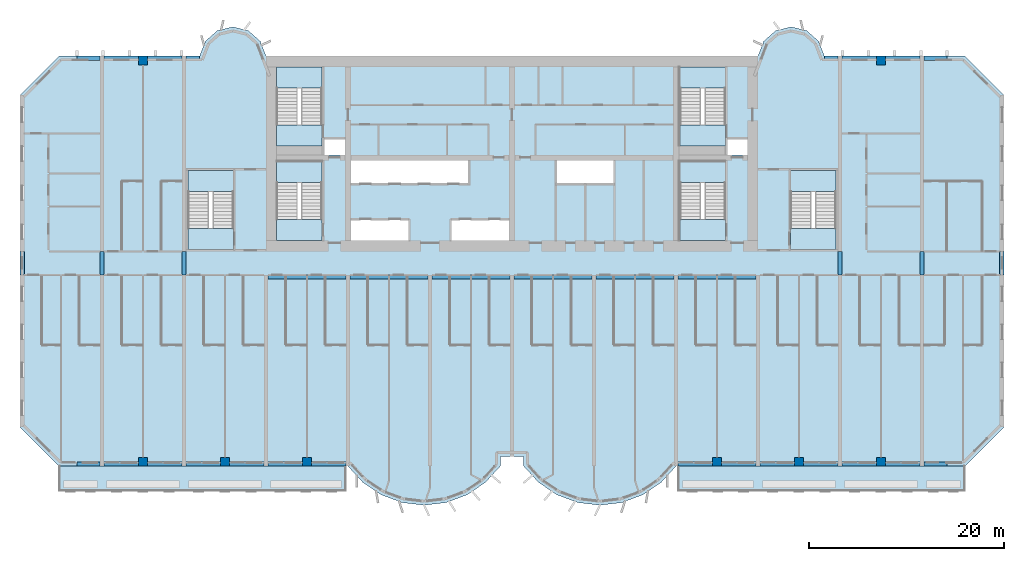
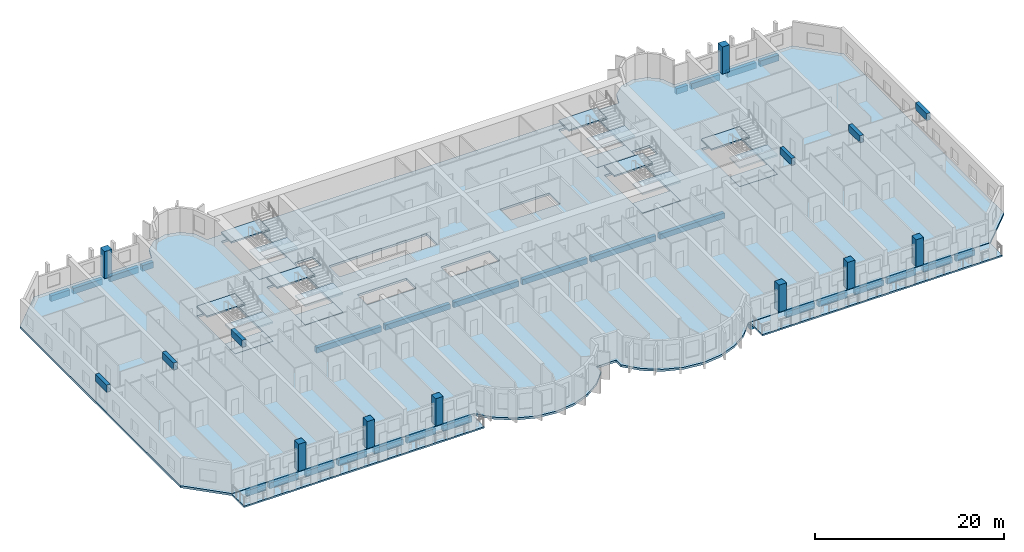
# One storey, part 1 of 15: 34 beams, 21 slabs, 8 columns, 6 elements without a shape of their own.
"""IFC4 building model written with IfcOpenShell, lengths in metres."""

import ifcopenshell
import ifcopenshell.guid

model = None  # the IFC model being written
_history = None  # IfcOwnerHistory: only IFC2X3 demands one
_inside = {}  # id of a spatial element -> (the spatial element, [elements in it])
_under = {}  # id of a project, library or spatial element -> (it, [spatial elements below it])
_declared = {}  # id of a project -> (the project, [libraries it declares])
_typed = {}  # id of a type object -> (the type object, [elements of that type])
_made_of = {}  # id of a material, layer set ... -> (it, [elements and type objects made of it])


def new_model(schema):
    """Start an empty IFC model of exactly this schema.

    Asked for "IFC4X3", IfcOpenShell would pick the latest addendum, in which some entities
    have other attributes; the version numbers below select the first issue.
    IFC2X3 requires an IfcOwnerHistory on every rooted entity: one is made here for all.
    """
    global model, _history
    if schema == "IFC4X3":
        model = ifcopenshell.file(schema_version=(4, 3, 0, 0))
    else:
        model = ifcopenshell.file(schema=schema)
    _inside.clear()
    _under.clear()
    _declared.clear()
    _typed.clear()
    _made_of.clear()
    _history = None
    if model.schema == "IFC2X3":
        org = make("IfcOrganization", Name="unknown")
        user = make(
            "IfcPersonAndOrganization",
            ThePerson=make("IfcPerson", FamilyName="unknown"),
            TheOrganization=org,
        )
        app = make(
            "IfcApplication",
            ApplicationDeveloper=org,
            Version="unknown",
            ApplicationFullName="unknown",
            ApplicationIdentifier="unknown",
        )
        _history = make(
            "IfcOwnerHistory",
            OwningUser=user,
            OwningApplication=app,
            ChangeAction="ADDED",
            CreationDate=0,
        )
    return model


def make(cls, **values):
    """One entity of the class cls with the attributes given. An attribute that is None is left unset."""
    return model.create_entity(
        cls, **{name: value for name, value in values.items() if value is not None}
    )


def rooted(cls, **values):
    """An entity with a GlobalId (a new one), such as an element, a storey or a relation."""
    return make(cls, GlobalId=ifcopenshell.guid.new(), OwnerHistory=_history, **values)


def si_unit(unit_type, name, prefix=None):
    """IfcSIUnit, for example si_unit("LENGTHUNIT", "METRE", prefix="MILLI")."""
    return make("IfcSIUnit", UnitType=unit_type, Prefix=prefix, Name=name)


def assignment(units):
    """IfcUnitAssignment: the units of a project."""
    return None if units is None else make("IfcUnitAssignment", Units=units)


def point(xyz):
    """IfcCartesianPoint."""
    return None if xyz is None else make("IfcCartesianPoint", Coordinates=xyz)


def direction(xyz):
    """IfcDirection."""
    return None if xyz is None else make("IfcDirection", DirectionRatios=xyz)


def frame(location, z_axis=None, x_axis=None):
    """IfcAxis2Placement3D, a coordinate frame: its origin and axes. An axis left out is left unset."""
    return make(
        "IfcAxis2Placement3D",
        Location=point(location),
        Axis=direction(z_axis),
        RefDirection=direction(x_axis),
    )


def frame_2d(location, x_axis=None):
    """IfcAxis2Placement2D, a coordinate frame in the plane: its origin and x axis."""
    return make(
        "IfcAxis2Placement2D", Location=point(location), RefDirection=direction(x_axis)
    )


def origin():
    """The frame at (0, 0, 0) with its axes left unset."""
    return frame((0.0, 0.0, 0.0))


def origin_2d():
    """The frame at (0, 0) in the plane with its x axis left unset."""
    return frame_2d((0.0, 0.0))


def place(relative_to, where):
    """IfcLocalPlacement: puts the frame where relative to a parent placement (None: the world)."""
    return make(
        "IfcLocalPlacement", PlacementRelTo=relative_to, RelativePlacement=where
    )


def context(
    kind, dimensions, precision=None, world=None, true_north=None, identifier=None
):
    """IfcGeometricRepresentationContext, for example the 3D "Model" context."""
    return make(
        "IfcGeometricRepresentationContext",
        ContextIdentifier=identifier,
        ContextType=kind,
        CoordinateSpaceDimension=dimensions,
        Precision=precision,
        WorldCoordinateSystem=world,
        TrueNorth=true_north,
    )


def subcontext(parent, identifier, kind, view, scale=None):
    """IfcGeometricRepresentationSubContext, for example "Body" below "Model"."""
    return make(
        "IfcGeometricRepresentationSubContext",
        ContextIdentifier=identifier,
        ContextType=kind,
        ParentContext=parent,
        TargetScale=scale,
        TargetView=view,
    )


def project(units=None, contexts=None):
    """IfcProject with its units and contexts."""
    return rooted(
        "IfcProject",
        Name="project",
        RepresentationContexts=contexts,
        UnitsInContext=assignment(units),
    )


def spatial(cls, under=None, at=None, **own):
    """A site, building, storey or space (cls), placed at a placement, below another one or the project."""
    s = rooted(cls, ObjectPlacement=at, **own)
    if under is not None:
        _under.setdefault(under.id(), (under, []))[1].append(s)
    return s


def polyline(points):
    """IfcPolyline through the points."""
    return make("IfcPolyline", Points=[point(p) for p in points])


def profile(cls, at=None, kind="AREA", **sizes):
    """A parametric profile (cls). Its sizes go by their IFC names, for example OverallWidth=200.0."""
    return make(cls, ProfileType=kind, Position=at, **sizes)


def rectangle(**sizes):
    """IfcRectangleProfileDef."""
    return profile("IfcRectangleProfileDef", **sizes)


def outline(outer, holes=None, kind="AREA"):
    """IfcArbitraryClosedProfileDef: a profile drawn as a closed curve; with holes, ...WithVoids."""
    if holes is None:
        return make("IfcArbitraryClosedProfileDef", ProfileType=kind, OuterCurve=outer)
    return make(
        "IfcArbitraryProfileDefWithVoids",
        ProfileType=kind,
        OuterCurve=outer,
        InnerCurves=holes,
    )


def extrude(swept, where, along, depth):
    """IfcExtrudedAreaSolid: the profile swept, set in the frame where, extruded along a direction by depth."""
    return make(
        "IfcExtrudedAreaSolid",
        SweptArea=swept,
        Position=where,
        ExtrudedDirection=direction(along),
        Depth=depth,
    )


def shape(context_of_items, identifier, shape_type, items):
    """IfcShapeRepresentation: the items that make up one representation, for example the "Body"."""
    return make(
        "IfcShapeRepresentation",
        ContextOfItems=context_of_items,
        RepresentationIdentifier=identifier,
        RepresentationType=shape_type,
        Items=items,
    )


def source(mapping_origin, context_of_items, identifier, shape_type, items):
    """IfcRepresentationMap: a shape defined once, which mapped items show again and again."""
    return make(
        "IfcRepresentationMap",
        MappingOrigin=mapping_origin,
        MappedRepresentation=shape(context_of_items, identifier, shape_type, items),
    )


def transform(
    local_origin,
    x_axis=None,
    y_axis=None,
    z_axis=None,
    scale=None,
    scale2=None,
    scale3=None,
    uniform=True,
):
    """IfcCartesianTransformationOperator3D, or its non-uniform kind. x_axis, y_axis, z_axis: its Axis1, 2, 3."""
    if uniform:
        return make(
            "IfcCartesianTransformationOperator3D",
            Axis1=direction(x_axis),
            Axis2=direction(y_axis),
            LocalOrigin=point(local_origin),
            Scale=scale,
            Axis3=direction(z_axis),
        )
    return make(
        "IfcCartesianTransformationOperator3DnonUniform",
        Axis1=direction(x_axis),
        Axis2=direction(y_axis),
        LocalOrigin=point(local_origin),
        Scale=scale,
        Axis3=direction(z_axis),
        Scale2=scale2,
        Scale3=scale3,
    )


def mapped(mapping_source, mapping_target):
    """IfcMappedItem: shows the shape of a source again, moved by a transform."""
    return make(
        "IfcMappedItem", MappingSource=mapping_source, MappingTarget=mapping_target
    )


def material(Name=None, Category=None):
    """IfcMaterial."""
    return make("IfcMaterial", Name=Name, Category=Category)


def layer(
    of_material, thickness, ventilated=None, Name=None, Category=None, Priority=None
):
    """IfcMaterialLayer: one layer of a wall or slab, of a material (None: an air gap)."""
    return make(
        "IfcMaterialLayer",
        Material=of_material,
        LayerThickness=thickness,
        IsVentilated=ventilated,
        Name=Name,
        Category=Category,
        Priority=Priority,
    )


def layer_set(layers, Name=None):
    """IfcMaterialLayerSet."""
    return make("IfcMaterialLayerSet", MaterialLayers=layers, LayerSetName=Name)


def material_profile(
    of_material, cross_section, Name=None, Category=None, Priority=None
):
    """IfcMaterialProfile: a cross section and its material."""
    return make(
        "IfcMaterialProfile",
        Name=Name,
        Material=of_material,
        Profile=cross_section,
        Priority=Priority,
        Category=Category,
    )


def profile_set(profiles, Name=None, composite=None):
    """IfcMaterialProfileSet."""
    return make(
        "IfcMaterialProfileSet",
        Name=Name,
        MaterialProfiles=profiles,
        CompositeProfile=composite,
    )


def made_of(thing, what):
    """Note that an element or type object is made of a material, layer set ...; save() writes the relation."""
    if what is not None:
        _made_of.setdefault(what.id(), (what, []))[1].append(thing)
    return thing


def type_object(cls, material=None, **own):
    """A type object (cls), such as IfcWallType, which elements share."""
    return made_of(rooted(cls, **own), material)


def element(
    cls,
    number,
    at=None,
    inside=None,
    cuts=None,
    type_object=None,
    material=None,
    context=None,
    identifier="Body",
    shape_type=None,
    held_by="IfcProductDefinitionShape",
    body=None,
    shapes=None,
    **own,
):
    """One element of the class cls, such as IfcWall. Its Tag is "e" and its number.

    at: its placement. inside: the storey or other place that contains it. cuts: it is an
    opening in that element (IfcRelVoidsElement). A single representation is given by context,
    identifier, shape_type and body (its items); several are given by shapes. held_by: the class
    of the entity that holds the representations. save() writes the other relations.
    """
    e = rooted(cls, Tag="e%d" % number, ObjectPlacement=at, **own)
    if body is not None:
        shapes = [shape(context, identifier, shape_type, body)]
    if shapes is not None:
        e.Representation = make(held_by, Representations=shapes)
    if inside is not None:
        _inside.setdefault(inside.id(), (inside, []))[1].append(e)
    if cuts is not None:
        rooted(
            "IfcRelVoidsElement", RelatingBuildingElement=cuts, RelatedOpeningElement=e
        )
    if type_object is not None:
        _typed.setdefault(type_object.id(), (type_object, []))[1].append(e)
    return made_of(e, material)


def aggregate(whole, parts):
    """IfcRelAggregates: a whole, such as a stair, and the parts it consists of."""
    return rooted("IfcRelAggregates", RelatingObject=whole, RelatedObjects=parts)


def save(model, path):
    """Write the relations noted so far, then the file.

    IfcRelAggregates (storeys below a building ...), IfcRelContainedInSpatialStructure (elements
    in a storey), IfcRelDefinesByType, IfcRelAssociatesMaterial and IfcRelDeclares: one each for
    every whole, place, type object, material and project.
    """
    for whole, parts in _under.values():
        aggregate(whole, parts)
    for where, things in _inside.values():
        rooted(
            "IfcRelContainedInSpatialStructure",
            RelatedElements=things,
            RelatingStructure=where,
        )
    for kind, things in _typed.values():
        rooted("IfcRelDefinesByType", RelatedObjects=things, RelatingType=kind)
    for what, things in _made_of.values():
        rooted("IfcRelAssociatesMaterial", RelatedObjects=things, RelatingMaterial=what)
    for by, libraries in _declared.values():
        rooted("IfcRelDeclares", RelatingContext=by, RelatedDefinitions=libraries)
    model.write(path)


model = new_model("IFC4")

# Units and contexts
model_context = context("Model", 3, precision=1e-05, world=origin(), true_north=direction((0.0, 1.0)))
body_context = subcontext(model_context, "Body", "Model", "MODEL_VIEW")
ifc_project = project(units=[si_unit("LENGTHUNIT", "METRE"), si_unit("AREAUNIT", "SQUARE_METRE"), si_unit("VOLUMEUNIT", "CUBIC_METRE"), si_unit("PLANEANGLEUNIT", "RADIAN"), si_unit("MASSUNIT", "GRAM", prefix="KILO")], contexts=[model_context])

# Site, building, storey
site_placement = place(None, origin())
site = spatial("IfcSite", under=ifc_project, at=site_placement, CompositionType="ELEMENT")
building_placement = place(site_placement, origin())
building = spatial("IfcBuilding", under=site, at=building_placement, Name="Vanashikhar Sky Hotel", CompositionType="ELEMENT")
storey_placement = place(building_placement, frame((0.0, 0.0, 35.39990234375)))
storey = spatial("IfcBuildingStorey", under=building, at=storey_placement, Name="L07", CompositionType="ELEMENT", Elevation=35.39990234375)

# Columns
ifc_material_1 = material(Name="Concrete M70", Category="concrete")
ifc_material_profile_1 = material_profile(ifc_material_1, rectangle(XDim=0.89990234375, YDim=0.89990234375, at=origin_2d()))
ifc_profile_set_1 = profile_set([ifc_material_profile_1], Name="RC 900x900 column Concrete M70")
column_type = type_object("IfcColumnType", Name="RC 900x900 column Concrete M70", PredefinedType="COLUMN", material=ifc_profile_set_1)
shared_shape_1 = source(origin(), body_context, "Body", "SweptSolid", [
    extrude(rectangle(XDim=0.89990234375, YDim=0.89990234375, at=origin_2d()), origin(), (0.0, 0.0, 1.0), 3.52001953125),
])
for number, where, z_axis, x_axis, name in (
    (1, (12.60009765625, 0.449951171875, 0.0), (0.0, 0.0, 1.0), (1.0, 0.0, 0.0), "CL-L07-CF02"),
    (2, (21.0, 0.449951171875, 0.0), (0.0, 0.0, 1.0), (1.0, 0.0, 0.0), "CL-L07-CF03"),
    (3, (29.39990234375, 0.449951171875, 0.0), (0.0, 0.0, 1.0), (1.0, 0.0, 0.0), "CL-L07-CF04"),
    (4, (71.39990234375, 0.449951171875, 0.0), (0.0, 0.0, 1.0), (1.0, 0.0, 0.0), "CL-L07-CF09"),
    (5, (79.800048828125, 0.449951171875, 0.0), (0.0, 0.0, 1.0), (1.0, 0.0, 0.0), "CL-L07-CF10"),
    (6, (88.199951171875, 0.449951171875, 0.0), (0.0, 0.0, 1.0), (1.0, 0.0, 0.0), "CL-L07-CF11"),
    (7, (12.60009765625, 41.550048828125, 0.0), (0.0, 0.0, 1.0), (1.0, 0.0, 0.0), "CL-L07-CR02"),
    (8, (88.199951171875, 41.550048828125, 0.0), (0.0, 0.0, 1.0), (1.0, 0.0, 0.0), "CL-L07-CR11"),
):
    element("IfcColumn", number, at=place(storey_placement, frame(where, z_axis=z_axis, x_axis=x_axis)), inside=storey, type_object=column_type, Name=name, PredefinedType="COLUMN", context=body_context, shape_type="MappedRepresentation", body=[
        mapped(shared_shape_1, transform((0.0, 0.0, 0.0), scale=1.0)),
    ])

# Beams
ifc_material_2 = material(Name="Concrete M50", Category="concrete")
ifc_material_profile_2 = material_profile(ifc_material_2, rectangle(XDim=0.449951171875, YDim=0.89990234375, at=origin_2d()))
ifc_profile_set_2 = profile_set([ifc_material_profile_2], Name="RC 450x900 beam Concrete M50")
beam_type_1 = type_object("IfcBeamType", Name="RC 450x900 beam Concrete M50", PredefinedType="LINTEL", material=ifc_profile_set_2)
shared_shape_2 = source(origin(), body_context, "Body", "SweptSolid", [
    extrude(rectangle(XDim=0.449951171875, YDim=0.89990234375, at=origin_2d()), origin(), (0.0, 0.0, 1.0), 2.39990234375),
])
for number, where, z_axis, x_axis, name in (
    (9, (0.22509765625, 19.60009765625, 3.070068359375), (0.0, 1.0, 0.0), (-1.0, 0.0, 0.0), "LB-L07-XW01"),
    (10, (8.39990234375, 19.60009765625, 3.070068359375), (0.0, 1.0, 0.0), (-1.0, 0.0, 0.0), "LB-L07-XW02"),
    (11, (16.800048828125, 19.60009765625, 3.070068359375), (0.0, 1.0, 0.0), (-1.0, 0.0, 0.0), "LB-L07-XW03"),
    (12, (84.0, 19.60009765625, 3.070068359375), (0.0, 1.0, 0.0), (-1.0, 0.0, 0.0), "LB-L07-XW11"),
    (13, (92.39990234375, 19.60009765625, 3.070068359375), (0.0, 1.0, 0.0), (-1.0, 0.0, 0.0), "LB-L07-XW12"),
    (14, (100.574951171875, 19.60009765625, 3.070068359375), (0.0, 1.0, 0.0), (-1.0, 0.0, 0.0), "LB-L07-XW13"),
):
    element("IfcBeam", number, at=place(storey_placement, frame(where, z_axis=z_axis, x_axis=x_axis)), inside=storey, type_object=beam_type_1, Name=name, PredefinedType="LINTEL", context=body_context, shape_type="MappedRepresentation", body=[
        mapped(shared_shape_2, transform((0.0, 0.0, 0.0), scale=1.0)),
    ])
ifc_material_profile_3 = material_profile(ifc_material_2, rectangle(XDim=0.449951171875, YDim=0.75, at=origin_2d()))
ifc_profile_set_3 = profile_set([ifc_material_profile_3], Name="RC 450x750 beam Concrete M50")
beam_type_2 = type_object("IfcBeamType", Name="RC 450x750 beam Concrete M50", PredefinedType="SPANDREL", material=ifc_profile_set_3)
shared_shape_3 = source(origin(), body_context, "Body", "SweptSolid", [
    extrude(rectangle(XDim=0.449951171875, YDim=0.75, at=origin_2d()), origin(), (0.0, 0.0, 1.0), 3.52490234375),
])
for number, where, z_axis, x_axis, name in (
    (15, (8.625, 0.22509765625, -0.65478515625), (1.0, 0.0, 0.0), (0.0, 1.0, 0.0), "EB-L07-F01"),
    (16, (13.050048828125, 0.22509765625, -0.65478515625), (1.0, 0.0, 0.0), (0.0, 1.0, 0.0), "EB-L07-F02"),
    (17, (25.425048828125, 0.22509765625, -0.65478515625), (1.0, 0.0, 0.0), (0.0, 1.0, 0.0), "EB-L07-F05"),
    (18, (29.85009765625, 0.22509765625, -0.65478515625), (1.0, 0.0, 0.0), (0.0, 1.0, 0.0), "EB-L07-F06"),
    (19, (67.425048828125, 0.22509765625, -0.65478515625), (1.0, 0.0, 0.0), (0.0, 1.0, 0.0), "EB-L07-F08"),
    (20, (71.85009765625, 0.22509765625, -0.65478515625), (1.0, 0.0, 0.0), (0.0, 1.0, 0.0), "EB-L07-F09"),
    (21, (80.25, 0.22509765625, -0.65478515625), (1.0, 0.0, 0.0), (0.0, 1.0, 0.0), "EB-L07-F11"),
    (22, (84.22509765625, 0.22509765625, -0.65478515625), (1.0, 0.0, 0.0), (0.0, 1.0, 0.0), "EB-L07-F12"),
    (23, (8.625, 41.77490234375, -0.65478515625), (1.0, 0.0, 0.0), (0.0, 1.0, 0.0), "EB-L07-R01"),
    (24, (13.050048828125, 41.77490234375, -0.65478515625), (1.0, 0.0, 0.0), (0.0, 1.0, 0.0), "EB-L07-R02"),
    (25, (84.22509765625, 41.77490234375, -0.65478515625), (1.0, 0.0, 0.0), (0.0, 1.0, 0.0), "EB-L07-R05"),
):
    element("IfcBeam", number, at=place(storey_placement, frame(where, z_axis=z_axis, x_axis=x_axis)), inside=storey, type_object=beam_type_2, Name=name, PredefinedType="SPANDREL", context=body_context, shape_type="MappedRepresentation", body=[
        mapped(shared_shape_3, transform((0.0, 0.0, 0.0), scale=1.0)),
    ])
shared_shape_4 = source(origin(), body_context, "Body", "SweptSolid", [
    extrude(rectangle(XDim=0.449951171875, YDim=0.75, at=origin_2d()), origin(), (0.0, 0.0, 1.0), 3.525146484375),
])
for number, where, z_axis, x_axis, name in (
    (26, (17.02490234375, 0.22509765625, -0.65478515625), (1.0, 0.0, 0.0), (0.0, 1.0, 0.0), "EB-L07-F03"),
    (27, (21.449951171875, 0.22509765625, -0.65478515625), (1.0, 0.0, 0.0), (0.0, 1.0, 0.0), "EB-L07-F04"),
    (28, (75.824951171875, 0.22509765625, -0.65478515625), (1.0, 0.0, 0.0), (0.0, 1.0, 0.0), "EB-L07-F10"),
    (29, (88.64990234375, 0.22509765625, -0.65478515625), (1.0, 0.0, 0.0), (0.0, 1.0, 0.0), "EB-L07-F13"),
    (30, (88.64990234375, 41.77490234375, -0.65478515625), (1.0, 0.0, 0.0), (0.0, 1.0, 0.0), "EB-L07-R06"),
):
    element("IfcBeam", number, at=place(storey_placement, frame(where, z_axis=z_axis, x_axis=x_axis)), inside=storey, type_object=beam_type_2, Name=name, PredefinedType="SPANDREL", context=body_context, shape_type="MappedRepresentation", body=[
        mapped(shared_shape_4, transform((0.0, 0.0, 0.0), scale=1.0)),
    ])
ifc_material_profile_4 = material_profile(ifc_material_2, rectangle(XDim=0.449951171875, YDim=0.75, at=origin_2d()))
ifc_profile_set_4 = profile_set([ifc_material_profile_4], Name="RC 450x750 cantilever beam Concrete M50")
beam_type_3 = type_object("IfcBeamType", Name="RC 450x750 cantilever beam Concrete M50", PredefinedType="SPANDREL", material=ifc_profile_set_4)
shared_shape_5 = source(origin(), body_context, "Body", "SweptSolid", [
    extrude(rectangle(XDim=0.449951171875, YDim=0.75, at=origin_2d()), origin(), (0.0, 0.0, 1.0), 2.330078125),
])
for number, where, z_axis, x_axis, name in (
    (31, (5.844970703125, 0.22509765625, -0.65478515625), (1.0, 0.0, 0.0), (0.0, 1.0, 0.0), "EB-L07-F07"),
    (32, (92.625, 0.22509765625, -0.65478515625), (1.0, 0.0, 0.0), (0.0, 1.0, 0.0), "EB-L07-F14"),
    (33, (5.844970703125, 41.77490234375, -0.65478515625), (1.0, 0.0, 0.0), (0.0, 1.0, 0.0), "EB-L07-R03"),
    (34, (92.625, 41.77490234375, -0.65478515625), (1.0, 0.0, 0.0), (0.0, 1.0, 0.0), "EB-L07-R08"),
):
    element("IfcBeam", number, at=place(storey_placement, frame(where, z_axis=z_axis, x_axis=x_axis)), inside=storey, type_object=beam_type_3, Name=name, PredefinedType="SPANDREL", context=body_context, shape_type="MappedRepresentation", body=[
        mapped(shared_shape_5, transform((0.0, 0.0, 0.0), scale=1.0)),
    ])
shared_shape_6 = source(origin(), body_context, "Body", "SweptSolid", [
    extrude(rectangle(XDim=0.449951171875, YDim=0.75, at=origin_2d()), origin(), (0.0, 0.0, 1.0), 1.375),
])
for number, where, z_axis, x_axis, name in (
    (35, (17.02490234375, 41.77490234375, -0.65478515625), (1.0, 0.0, 0.0), (0.0, 1.0, 0.0), "EB-L07-R04"),
    (36, (82.39990234375, 41.77490234375, -0.65478515625), (1.0, 0.0, 0.0), (0.0, 1.0, 0.0), "EB-L07-R07"),
):
    element("IfcBeam", number, at=place(storey_placement, frame(where, z_axis=z_axis, x_axis=x_axis)), inside=storey, type_object=beam_type_3, Name=name, PredefinedType="SPANDREL", context=body_context, shape_type="MappedRepresentation", body=[
        mapped(shared_shape_6, transform((0.0, 0.0, 0.0), scale=1.0)),
    ])
ifc_material_profile_5 = material_profile(ifc_material_2, rectangle(XDim=0.449951171875, YDim=0.699951171875, at=origin_2d()))
ifc_profile_set_5 = profile_set([ifc_material_profile_5], Name="RC 450x700 beam Concrete M50")
beam_type_4 = type_object("IfcBeamType", Name="RC 450x700 beam Concrete M50", PredefinedType="BEAM", material=ifc_profile_set_5)
shared_shape_7 = source(origin(), body_context, "Body", "SweptSolid", [
    extrude(rectangle(XDim=0.449951171875, YDim=0.699951171875, at=origin_2d()), origin(), (0.0, 0.0, 1.0), 7.949951171875),
])
for number, where, z_axis, x_axis, name in (
    (37, (25.425048828125, 19.375, -0.6298828125), (1.0, 0.0, 0.0), (0.0, 1.0, 0.0), "CB-L07-01"),
    (38, (33.824951171875, 19.375, -0.6298828125), (1.0, 0.0, 0.0), (0.0, 1.0, 0.0), "CB-L07-02"),
    (39, (42.22509765625, 19.375, -0.6298828125), (1.0, 0.0, 0.0), (0.0, 1.0, 0.0), "CB-L07-03"),
    (40, (50.625, 19.375, -0.6298828125), (1.0, 0.0, 0.0), (0.0, 1.0, 0.0), "CB-L07-04"),
    (41, (67.425048828125, 19.375, -0.6298828125), (1.0, 0.0, 0.0), (0.0, 1.0, 0.0), "CB-L07-06"),
):
    element("IfcBeam", number, at=place(storey_placement, frame(where, z_axis=z_axis, x_axis=x_axis)), inside=storey, type_object=beam_type_4, Name=name, PredefinedType="BEAM", context=body_context, shape_type="MappedRepresentation", body=[
        mapped(shared_shape_7, transform((0.0, 0.0, 0.0), scale=1.0)),
    ])
shared_shape_8 = source(origin(), body_context, "Body", "SweptSolid", [
    extrude(rectangle(XDim=0.449951171875, YDim=0.699951171875, at=origin_2d()), origin(), (0.0, 0.0, 1.0), 7.9501953125),
])
beam_placement = place(storey_placement, frame((59.02490234375, 19.375, -0.6298828125), z_axis=(1.0, 0.0, 0.0), x_axis=(0.0, 1.0, 0.0)))
element("IfcBeam", 42, at=beam_placement, inside=storey, type_object=beam_type_4, Name="CB-L07-05", PredefinedType="BEAM", context=body_context, shape_type="MappedRepresentation", body=[
    mapped(shared_shape_8, transform((0.0, 0.0, 0.0), scale=1.0)),
])

# Slabs
ifc_material_3 = material(Name="Concrete M40", Category="concrete")
ifc_layer_1 = layer(ifc_material_3, 0.280029296875)
ifc_layer_set_1 = layer_set([ifc_layer_1], Name="Floor slab 280 mm")
slab_type_1 = type_object("IfcSlabType", Name="Floor slab 280 mm", PredefinedType="FLOOR", material=ifc_layer_set_1)
shared_shape_9 = source(origin(), body_context, "Body", "SweptSolid", [
    extrude(outline(polyline([(49.199951171875, 0.0), (49.199951171875, 1.0), (51.60009765625, 1.0), (51.60009765625, 0.0), (53.133056640625, -1.674072265625), (55.01708984375, -2.94189453125), (57.14599609375, -3.73193359375), (59.39990234375, -4.0), (61.654052734375, -3.73193359375), (63.782958984375, -2.94189453125), (65.6669921875, -1.674072265625), (67.199951171875, 0.0), (96.800048828125, 0.0), (100.800048828125, 4.0), (100.800048828125, 38.0), (96.800048828125, 42.0), (82.39990234375, 42.0), (81.81494140625, 43.527099609375), (80.587890625, 44.610107421875), (79.0, 45.0), (77.412109375, 44.610107421875), (76.18505859375, 43.527099609375), (75.60009765625, 42.0), (25.199951171875, 42.0), (24.614990234375, 43.527099609375), (23.387939453125, 44.610107421875), (21.800048828125, 45.0), (20.2119140625, 44.610107421875), (18.985107421875, 43.527099609375), (18.39990234375, 42.0), (4.0, 42.0), (0.0, 38.0), (0.0, 4.0), (4.0, 0.0), (33.60009765625, 0.0), (35.133056640625, -1.674072265625), (37.01708984375, -2.94189453125), (39.14599609375, -3.73193359375), (41.39990234375, -4.0), (43.654052734375, -3.73193359375), (45.782958984375, -2.94189453125), (47.6669921875, -1.674072265625), (49.199951171875, 0.0)]), holes=[polyline([(33.300048828125, 33.60009765625), (31.050048828125, 33.60009765625), (31.050048828125, 31.89990234375), (33.300048828125, 31.89990234375), (33.300048828125, 33.60009765625)]), polyline([(33.89990234375, 25.199951171875), (33.89990234375, 23.10009765625), (39.89990234375, 23.10009765625), (39.89990234375, 25.199951171875), (33.89990234375, 25.199951171875)]), polyline([(33.89990234375, 31.300048828125), (33.89990234375, 29.0), (45.89990234375, 29.0), (45.89990234375, 31.300048828125), (33.89990234375, 31.300048828125)]), polyline([(44.10009765625, 25.199951171875), (44.10009765625, 23.10009765625), (50.10009765625, 23.10009765625), (50.10009765625, 25.199951171875), (44.10009765625, 25.199951171875)]), polyline([(54.89990234375, 31.300048828125), (54.89990234375, 29.0), (60.89990234375, 29.0), (60.89990234375, 31.300048828125), (54.89990234375, 31.300048828125)]), polyline([(74.5, 33.60009765625), (72.35009765625, 33.60009765625), (72.35009765625, 31.89990234375), (74.5, 31.89990234375), (74.5, 33.60009765625)]), polyline([(30.949951171875, 23.10009765625), (30.949951171875, 31.199951171875), (26.300048828125, 31.199951171875), (26.300048828125, 23.10009765625), (30.949951171875, 23.10009765625)]), polyline([(72.25, 23.10009765625), (72.25, 31.199951171875), (67.60009765625, 31.199951171875), (67.60009765625, 23.10009765625), (72.25, 23.10009765625)]), polyline([(30.949951171875, 32.800048828125), (30.949951171875, 40.89990234375), (26.300048828125, 40.89990234375), (26.300048828125, 32.800048828125), (30.949951171875, 32.800048828125)]), polyline([(72.25, 32.800048828125), (72.25, 40.89990234375), (67.60009765625, 40.89990234375), (67.60009765625, 32.800048828125), (72.25, 32.800048828125)]), polyline([(83.60009765625, 22.199951171875), (83.60009765625, 30.300048828125), (78.949951171875, 30.300048828125), (78.949951171875, 22.199951171875), (83.60009765625, 22.199951171875)]), polyline([(21.85009765625, 22.199951171875), (21.85009765625, 30.300048828125), (17.199951171875, 30.300048828125), (17.199951171875, 22.199951171875), (21.85009765625, 22.199951171875)])]), origin(), (0.0, 0.0, 1.0), 0.27978515625),
])
slab_1_placement = place(storey_placement, frame((0.0, 0.0, -0.27978515625)))
element("IfcSlab", 43, at=slab_1_placement, inside=storey, type_object=slab_type_1, Name="Floor slab L07", PredefinedType="FLOOR", context=body_context, shape_type="MappedRepresentation", body=[
    mapped(shared_shape_9, transform((0.0, 0.0, 0.0), scale=1.0)),
])
ifc_layer_2 = layer(ifc_material_3, 0.199951171875)
ifc_layer_set_2 = layer_set([ifc_layer_2], Name="Balcony slab 200 mm")
slab_type_2 = type_object("IfcSlabType", Name="Balcony slab 200 mm", PredefinedType="USERDEFINED", material=ifc_layer_set_2)
shared_shape_10 = source(origin(), body_context, "Body", "SweptSolid", [
    extrude(outline(polyline([(4.0, -2.60009765625), (33.39990234375, -2.60009765625), (33.39990234375, 0.0), (4.0, 0.0), (4.0, -2.60009765625)])), origin(), (0.0, 0.0, 1.0), 0.2001953125),
])
slab_2_placement = place(storey_placement, frame((0.0, 0.0, -0.25)))
element("IfcSlab", 44, at=slab_2_placement, inside=storey, type_object=slab_type_2, Name="Balcony slab L07 1", ObjectType="BALCONY", PredefinedType="USERDEFINED", context=body_context, shape_type="MappedRepresentation", body=[
    mapped(shared_shape_10, transform((0.0, 0.0, 0.0), scale=1.0)),
])
shared_shape_11 = source(origin(), body_context, "Body", "SweptSolid", [
    extrude(outline(polyline([(67.39990234375, -2.60009765625), (96.800048828125, -2.60009765625), (96.800048828125, 0.0), (67.39990234375, 0.0), (67.39990234375, -2.60009765625)])), origin(), (0.0, 0.0, 1.0), 0.2001953125),
])
slab_3_placement = place(storey_placement, frame((0.0, 0.0, -0.25)))
element("IfcSlab", 45, at=slab_3_placement, inside=storey, type_object=slab_type_2, Name="Balcony slab L07 2", ObjectType="BALCONY", PredefinedType="USERDEFINED", context=body_context, shape_type="MappedRepresentation", body=[
    mapped(shared_shape_11, transform((0.0, 0.0, 0.0), scale=1.0)),
])

# Stair, slabs
stair_type = type_object("IfcStairType", Name="Exit stair 2150", PredefinedType="DOUBLE_RETURN_STAIR", material=ifc_material_3)
stair_1_placement = place(storey_placement, origin())
stair_1 = element("IfcStair", 46, at=stair_1_placement, inside=storey, type_object=stair_type, Name="L07 Exit stair 1", PredefinedType="DOUBLE_RETURN_STAIR")
ifc_layer_3 = layer(ifc_material_3, 0.199951171875)
ifc_layer_set_3 = layer_set([ifc_layer_3], Name="Stair landing 200")
slab_type_3 = type_object("IfcSlabType", Name="Stair landing 200", PredefinedType="LANDING", material=ifc_layer_set_3)
shared_shape_12 = source(origin(), body_context, "Body", "SweptSolid", [
    extrude(outline(polyline([(30.949951171875, 23.10009765625), (30.949951171875, 25.25), (26.300048828125, 25.25), (26.300048828125, 23.10009765625), (30.949951171875, 23.10009765625)])), origin(), (0.0, 0.0, 1.0), 0.199951171875),
])
slab_4_placement = place(storey_placement, frame((0.0, 0.0, 2.33349609375)))
slab_4 = element("IfcSlab", 47, at=slab_4_placement, type_object=slab_type_3, Name="ST-C1 landing 2", PredefinedType="LANDING", context=body_context, shape_type="MappedRepresentation", body=[
    mapped(shared_shape_12, transform((0.0, 0.0, 0.0), scale=1.0)),
])
shared_shape_13 = source(origin(), body_context, "Body", "SweptSolid", [
    extrude(outline(polyline([(30.949951171875, 29.050048828125), (30.949951171875, 31.199951171875), (26.300048828125, 31.199951171875), (26.300048828125, 29.050048828125), (30.949951171875, 29.050048828125)])), origin(), (0.0, 0.0, 1.0), 0.2001953125),
])
slab_5_placement = place(storey_placement, frame((0.0, 0.0, 1.066650390625)))
slab_5 = element("IfcSlab", 48, at=slab_5_placement, type_object=slab_type_3, Name="ST-C1 landing 1", PredefinedType="LANDING", context=body_context, shape_type="MappedRepresentation", body=[
    mapped(shared_shape_13, transform((0.0, 0.0, 0.0), scale=1.0)),
])
aggregate(stair_1, [slab_5, slab_4])

# Slab
ifc_layer_4 = layer(ifc_material_3, 0.280029296875)
ifc_layer_set_4 = layer_set([ifc_layer_4], Name="Stair floor landing 280")
slab_type_4 = type_object("IfcSlabType", Name="Stair floor landing 280", PredefinedType="LANDING", material=ifc_layer_set_4)
shared_shape_14 = source(origin(), body_context, "Body", "SweptSolid", [
    extrude(outline(polyline([(30.949951171875, 23.10009765625), (30.949951171875, 25.25), (26.300048828125, 25.25), (26.300048828125, 23.10009765625), (30.949951171875, 23.10009765625)])), origin(), (0.0, 0.0, 1.0), 0.27978515625),
])
slab_6_placement = place(storey_placement, frame((0.0, 0.0, -0.27978515625)))
element("IfcSlab", 49, at=slab_6_placement, inside=storey, type_object=slab_type_4, Name="Exit stair 1 floor landing", PredefinedType="LANDING", context=body_context, shape_type="MappedRepresentation", body=[
    mapped(shared_shape_14, transform((0.0, 0.0, 0.0), scale=1.0)),
])

# Stair, slabs
stair_2_placement = place(storey_placement, origin())
stair_2 = element("IfcStair", 50, at=stair_2_placement, inside=storey, type_object=stair_type, Name="L07 Exit stair 2", PredefinedType="DOUBLE_RETURN_STAIR")
shared_shape_15 = source(origin(), body_context, "Body", "SweptSolid", [
    extrude(outline(polyline([(72.25, 23.10009765625), (72.25, 25.25), (67.60009765625, 25.25), (67.60009765625, 23.10009765625), (72.25, 23.10009765625)])), origin(), (0.0, 0.0, 1.0), 0.199951171875),
])
slab_7_placement = place(storey_placement, frame((0.0, 0.0, 2.33349609375)))
slab_7 = element("IfcSlab", 51, at=slab_7_placement, type_object=slab_type_3, Name="ST-C2 landing 2", PredefinedType="LANDING", context=body_context, shape_type="MappedRepresentation", body=[
    mapped(shared_shape_15, transform((0.0, 0.0, 0.0), scale=1.0)),
])
shared_shape_16 = source(origin(), body_context, "Body", "SweptSolid", [
    extrude(outline(polyline([(72.25, 29.050048828125), (72.25, 31.199951171875), (67.60009765625, 31.199951171875), (67.60009765625, 29.050048828125), (72.25, 29.050048828125)])), origin(), (0.0, 0.0, 1.0), 0.2001953125),
])
slab_8_placement = place(storey_placement, frame((0.0, 0.0, 1.066650390625)))
slab_8 = element("IfcSlab", 52, at=slab_8_placement, type_object=slab_type_3, Name="ST-C2 landing 1", PredefinedType="LANDING", context=body_context, shape_type="MappedRepresentation", body=[
    mapped(shared_shape_16, transform((0.0, 0.0, 0.0), scale=1.0)),
])
aggregate(stair_2, [slab_8, slab_7])

# Slab
shared_shape_17 = source(origin(), body_context, "Body", "SweptSolid", [
    extrude(outline(polyline([(72.25, 23.10009765625), (72.25, 25.25), (67.60009765625, 25.25), (67.60009765625, 23.10009765625), (72.25, 23.10009765625)])), origin(), (0.0, 0.0, 1.0), 0.27978515625),
])
slab_9_placement = place(storey_placement, frame((0.0, 0.0, -0.27978515625)))
element("IfcSlab", 53, at=slab_9_placement, inside=storey, type_object=slab_type_4, Name="Exit stair 2 floor landing", PredefinedType="LANDING", context=body_context, shape_type="MappedRepresentation", body=[
    mapped(shared_shape_17, transform((0.0, 0.0, 0.0), scale=1.0)),
])

# Stair, slabs
stair_3_placement = place(storey_placement, origin())
stair_3 = element("IfcStair", 54, at=stair_3_placement, inside=storey, type_object=stair_type, Name="L07 Exit stair 3", PredefinedType="DOUBLE_RETURN_STAIR")
shared_shape_18 = source(origin(), body_context, "Body", "SweptSolid", [
    extrude(outline(polyline([(21.85009765625, 22.199951171875), (21.85009765625, 24.35009765625), (17.199951171875, 24.35009765625), (17.199951171875, 22.199951171875), (21.85009765625, 22.199951171875)])), origin(), (0.0, 0.0, 1.0), 0.199951171875),
])
slab_10_placement = place(storey_placement, frame((0.0, 0.0, 2.33349609375)))
slab_10 = element("IfcSlab", 55, at=slab_10_placement, type_object=slab_type_3, Name="ST-W landing 2", PredefinedType="LANDING", context=body_context, shape_type="MappedRepresentation", body=[
    mapped(shared_shape_18, transform((0.0, 0.0, 0.0), scale=1.0)),
])
shared_shape_19 = source(origin(), body_context, "Body", "SweptSolid", [
    extrude(outline(polyline([(21.85009765625, 28.14990234375), (21.85009765625, 30.300048828125), (17.199951171875, 30.300048828125), (17.199951171875, 28.14990234375), (21.85009765625, 28.14990234375)])), origin(), (0.0, 0.0, 1.0), 0.2001953125),
])
slab_11_placement = place(storey_placement, frame((0.0, 0.0, 1.066650390625)))
slab_11 = element("IfcSlab", 56, at=slab_11_placement, type_object=slab_type_3, Name="ST-W landing 1", PredefinedType="LANDING", context=body_context, shape_type="MappedRepresentation", body=[
    mapped(shared_shape_19, transform((0.0, 0.0, 0.0), scale=1.0)),
])
aggregate(stair_3, [slab_11, slab_10])

# Slab
shared_shape_20 = source(origin(), body_context, "Body", "SweptSolid", [
    extrude(outline(polyline([(21.85009765625, 22.199951171875), (21.85009765625, 24.35009765625), (17.199951171875, 24.35009765625), (17.199951171875, 22.199951171875), (21.85009765625, 22.199951171875)])), origin(), (0.0, 0.0, 1.0), 0.27978515625),
])
slab_12_placement = place(storey_placement, frame((0.0, 0.0, -0.27978515625)))
element("IfcSlab", 57, at=slab_12_placement, inside=storey, type_object=slab_type_4, Name="Exit stair 3 floor landing", PredefinedType="LANDING", context=body_context, shape_type="MappedRepresentation", body=[
    mapped(shared_shape_20, transform((0.0, 0.0, 0.0), scale=1.0)),
])

# Stair, slabs
stair_4_placement = place(storey_placement, origin())
stair_4 = element("IfcStair", 58, at=stair_4_placement, inside=storey, type_object=stair_type, Name="L07 Exit stair 4", PredefinedType="DOUBLE_RETURN_STAIR")
shared_shape_21 = source(origin(), body_context, "Body", "SweptSolid", [
    extrude(outline(polyline([(83.60009765625, 22.199951171875), (83.60009765625, 24.35009765625), (78.949951171875, 24.35009765625), (78.949951171875, 22.199951171875), (83.60009765625, 22.199951171875)])), origin(), (0.0, 0.0, 1.0), 0.199951171875),
])
slab_13_placement = place(storey_placement, frame((0.0, 0.0, 2.33349609375)))
slab_13 = element("IfcSlab", 59, at=slab_13_placement, type_object=slab_type_3, Name="ST-E landing 2", PredefinedType="LANDING", context=body_context, shape_type="MappedRepresentation", body=[
    mapped(shared_shape_21, transform((0.0, 0.0, 0.0), scale=1.0)),
])
shared_shape_22 = source(origin(), body_context, "Body", "SweptSolid", [
    extrude(outline(polyline([(83.60009765625, 28.14990234375), (83.60009765625, 30.300048828125), (78.949951171875, 30.300048828125), (78.949951171875, 28.14990234375), (83.60009765625, 28.14990234375)])), origin(), (0.0, 0.0, 1.0), 0.2001953125),
])
slab_14_placement = place(storey_placement, frame((0.0, 0.0, 1.066650390625)))
slab_14 = element("IfcSlab", 60, at=slab_14_placement, type_object=slab_type_3, Name="ST-E landing 1", PredefinedType="LANDING", context=body_context, shape_type="MappedRepresentation", body=[
    mapped(shared_shape_22, transform((0.0, 0.0, 0.0), scale=1.0)),
])
aggregate(stair_4, [slab_14, slab_13])

# Slab
shared_shape_23 = source(origin(), body_context, "Body", "SweptSolid", [
    extrude(outline(polyline([(83.60009765625, 22.199951171875), (83.60009765625, 24.35009765625), (78.949951171875, 24.35009765625), (78.949951171875, 22.199951171875), (83.60009765625, 22.199951171875)])), origin(), (0.0, 0.0, 1.0), 0.27978515625),
])
slab_15_placement = place(storey_placement, frame((0.0, 0.0, -0.27978515625)))
element("IfcSlab", 61, at=slab_15_placement, inside=storey, type_object=slab_type_4, Name="Exit stair 4 floor landing", PredefinedType="LANDING", context=body_context, shape_type="MappedRepresentation", body=[
    mapped(shared_shape_23, transform((0.0, 0.0, 0.0), scale=1.0)),
])

# Stair, slabs
stair_5_placement = place(storey_placement, origin())
stair_5 = element("IfcStair", 62, at=stair_5_placement, inside=storey, type_object=stair_type, Name="L07 Exit stair 5", PredefinedType="DOUBLE_RETURN_STAIR")
shared_shape_24 = source(origin(), body_context, "Body", "SweptSolid", [
    extrude(outline(polyline([(30.949951171875, 32.800048828125), (30.949951171875, 34.949951171875), (26.300048828125, 34.949951171875), (26.300048828125, 32.800048828125), (30.949951171875, 32.800048828125)])), origin(), (0.0, 0.0, 1.0), 0.199951171875),
])
slab_16_placement = place(storey_placement, frame((0.0, 0.0, 2.33349609375)))
slab_16 = element("IfcSlab", 63, at=slab_16_placement, type_object=slab_type_3, Name="ST-C3 landing 2", PredefinedType="LANDING", context=body_context, shape_type="MappedRepresentation", body=[
    mapped(shared_shape_24, transform((0.0, 0.0, 0.0), scale=1.0)),
])
shared_shape_25 = source(origin(), body_context, "Body", "SweptSolid", [
    extrude(outline(polyline([(30.949951171875, 38.75), (30.949951171875, 40.89990234375), (26.300048828125, 40.89990234375), (26.300048828125, 38.75), (30.949951171875, 38.75)])), origin(), (0.0, 0.0, 1.0), 0.2001953125),
])
slab_17_placement = place(storey_placement, frame((0.0, 0.0, 1.066650390625)))
slab_17 = element("IfcSlab", 64, at=slab_17_placement, type_object=slab_type_3, Name="ST-C3 landing 1", PredefinedType="LANDING", context=body_context, shape_type="MappedRepresentation", body=[
    mapped(shared_shape_25, transform((0.0, 0.0, 0.0), scale=1.0)),
])
aggregate(stair_5, [slab_17, slab_16])

# Slab
shared_shape_26 = source(origin(), body_context, "Body", "SweptSolid", [
    extrude(outline(polyline([(30.949951171875, 32.800048828125), (30.949951171875, 34.949951171875), (26.300048828125, 34.949951171875), (26.300048828125, 32.800048828125), (30.949951171875, 32.800048828125)])), origin(), (0.0, 0.0, 1.0), 0.27978515625),
])
slab_18_placement = place(storey_placement, frame((0.0, 0.0, -0.27978515625)))
element("IfcSlab", 65, at=slab_18_placement, inside=storey, type_object=slab_type_4, Name="Exit stair 5 floor landing", PredefinedType="LANDING", context=body_context, shape_type="MappedRepresentation", body=[
    mapped(shared_shape_26, transform((0.0, 0.0, 0.0), scale=1.0)),
])

# Stair, slabs
stair_6_placement = place(storey_placement, origin())
stair_6 = element("IfcStair", 66, at=stair_6_placement, inside=storey, type_object=stair_type, Name="L07 Exit stair 6", PredefinedType="DOUBLE_RETURN_STAIR")
shared_shape_27 = source(origin(), body_context, "Body", "SweptSolid", [
    extrude(outline(polyline([(72.25, 32.800048828125), (72.25, 34.949951171875), (67.60009765625, 34.949951171875), (67.60009765625, 32.800048828125), (72.25, 32.800048828125)])), origin(), (0.0, 0.0, 1.0), 0.199951171875),
])
slab_19_placement = place(storey_placement, frame((0.0, 0.0, 2.33349609375)))
slab_19 = element("IfcSlab", 67, at=slab_19_placement, type_object=slab_type_3, Name="ST-C4 landing 2", PredefinedType="LANDING", context=body_context, shape_type="MappedRepresentation", body=[
    mapped(shared_shape_27, transform((0.0, 0.0, 0.0), scale=1.0)),
])
shared_shape_28 = source(origin(), body_context, "Body", "SweptSolid", [
    extrude(outline(polyline([(72.25, 38.75), (72.25, 40.89990234375), (67.60009765625, 40.89990234375), (67.60009765625, 38.75), (72.25, 38.75)])), origin(), (0.0, 0.0, 1.0), 0.2001953125),
])
slab_20_placement = place(storey_placement, frame((0.0, 0.0, 1.066650390625)))
slab_20 = element("IfcSlab", 68, at=slab_20_placement, type_object=slab_type_3, Name="ST-C4 landing 1", PredefinedType="LANDING", context=body_context, shape_type="MappedRepresentation", body=[
    mapped(shared_shape_28, transform((0.0, 0.0, 0.0), scale=1.0)),
])
aggregate(stair_6, [slab_20, slab_19])

# Slab
shared_shape_29 = source(origin(), body_context, "Body", "SweptSolid", [
    extrude(outline(polyline([(72.25, 32.800048828125), (72.25, 34.949951171875), (67.60009765625, 34.949951171875), (67.60009765625, 32.800048828125), (72.25, 32.800048828125)])), origin(), (0.0, 0.0, 1.0), 0.27978515625),
])
slab_21_placement = place(storey_placement, frame((0.0, 0.0, -0.27978515625)))
element("IfcSlab", 69, at=slab_21_placement, inside=storey, type_object=slab_type_4, Name="Exit stair 6 floor landing", PredefinedType="LANDING", context=body_context, shape_type="MappedRepresentation", body=[
    mapped(shared_shape_29, transform((0.0, 0.0, 0.0), scale=1.0)),
])

save(model, "model.ifc")
